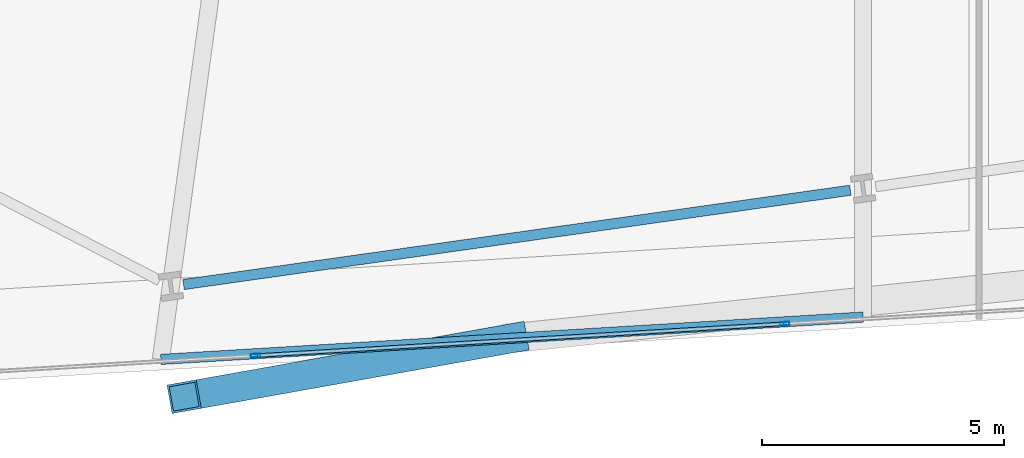
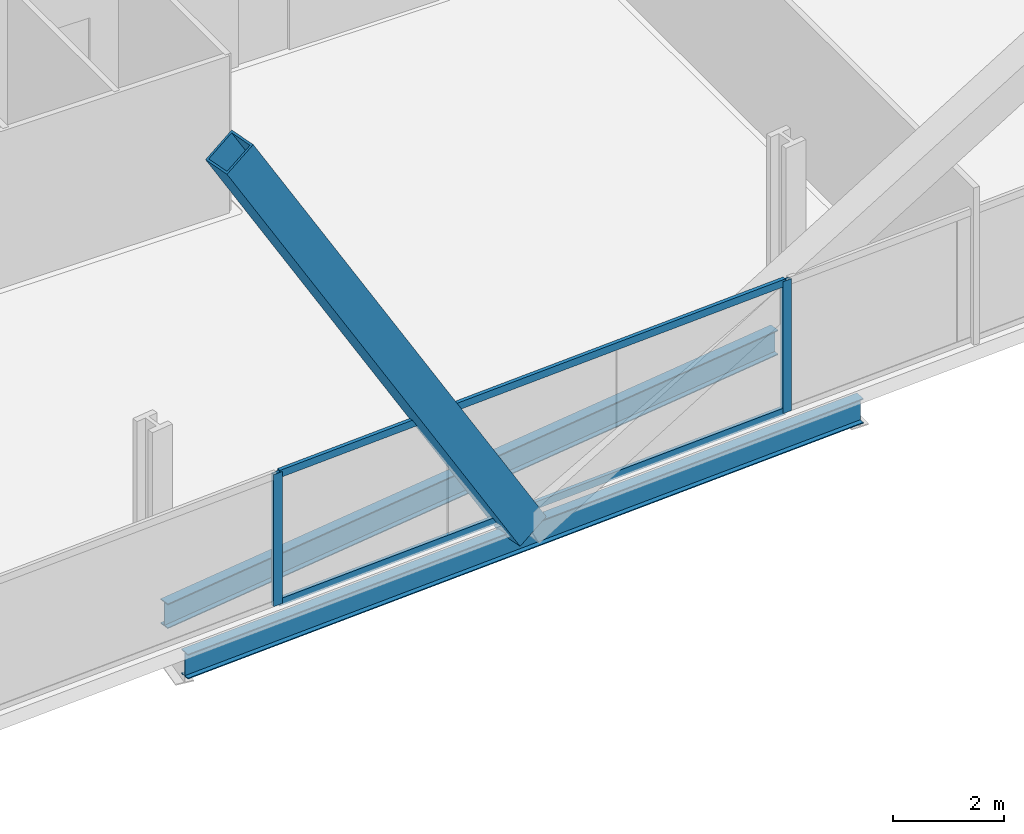
# One storey, part 5 of 34: 5 members, 2 beams, 1 element without a shape of its own.
"""IFC4 building model written with IfcOpenShell, lengths in metres."""

from ifc_helpers import new_model, si_unit, direction, frame, origin, origin_2d, place, context, subcontext, project, spatial, hollow_rectangle, i_section, extrude, material, material_profile, profile_set, type_object, element, aggregate, save


model = new_model("IFC4")

# Units and contexts
model_context = context("Model", 3, precision=1e-05, world=origin(), true_north=direction((0.0, 1.0)))
body_context = subcontext(model_context, "Body", "Model", "MODEL_VIEW")
ifc_project = project(units=[si_unit("LENGTHUNIT", "METRE"), si_unit("AREAUNIT", "SQUARE_METRE"), si_unit("VOLUMEUNIT", "CUBIC_METRE"), si_unit("PLANEANGLEUNIT", "RADIAN"), si_unit("MASSUNIT", "GRAM", prefix="KILO")], contexts=[model_context])

# Site, building, storey
site_placement = place(None, origin())
site = spatial("IfcSite", under=ifc_project, at=site_placement, CompositionType="ELEMENT")
building_placement = place(site_placement, origin())
building = spatial("IfcBuilding", under=site, at=building_placement, Name="Haldenkirk Collegiate Tower", CompositionType="ELEMENT")
storey_placement = place(building_placement, frame((0.0, 0.0, 40.199951171875)))
storey = spatial("IfcBuildingStorey", under=building, at=storey_placement, Name="L08", CompositionType="ELEMENT", Elevation=40.199951171875)

# Beams
ifc_material_1 = material(Name="Steel ASTM A992 Grade 50", Category="steel")
ifc_material_profile_1 = material_profile(ifc_material_1, i_section(OverallWidth=0.2119140625, OverallDepth=0.5439453125, WebThickness=0.01318359375, FlangeThickness=0.021240234375, at=origin_2d()), Name="W21X83")
ifc_profile_set_1 = profile_set([ifc_material_profile_1], Name="Steel ASTM A992 Grade 50")
beam_type = type_object("IfcBeamType", Name="BM-SPANDREL-W21X83", PredefinedType="SPANDREL", material=ifc_profile_set_1)
beam_1_placement = place(storey_placement, frame((25.076904296875, 2.0341796875, -0.58203125), z_axis=(0.990146197746, 0.14003752029, 0.0), x_axis=(-0.14003752029, 0.990146197746, 0.0)))
element("IfcBeam", 1, at=beam_1_placement, inside=storey, type_object=beam_type, Name="L08 perimeter spandrel beam 02", PredefinedType="SPANDREL", context=body_context, shape_type="SweptSolid", body=[
    extrude(i_section(OverallWidth=0.2119140625, OverallDepth=0.5439453125, WebThickness=0.01318359375, FlangeThickness=0.021240234375, at=origin_2d()), origin(), (0.0, 0.0, 1.0), 13.906982421875),
])
beam_2_placement = place(storey_placement, frame((24.609130859375, 0.48828125, -0.58203125), z_axis=(0.998187177961, 0.060186026238, 0.0), x_axis=(-0.060186026238, 0.998187177961, 0.0)))
element("IfcBeam", 2, at=beam_2_placement, inside=storey, type_object=beam_type, Name="L08 outer facade edge beam 1", PredefinedType="SPANDREL", context=body_context, shape_type="SweptSolid", body=[
    extrude(i_section(OverallWidth=0.2119140625, OverallDepth=0.5439453125, WebThickness=0.01318359375, FlangeThickness=0.021240234375, at=origin_2d()), origin(), (0.0, 0.0, 1.0), 14.526123046875),
])

# Curtain wall, members
ifc_material_2 = material(Name="Anodised architectural bronze aluminium", Category="aluminium")
curtain_wall_type = type_object("IfcCurtainWallType", Name="CW-SYS2-CONCAVE", PredefinedType="USERDEFINED", material=ifc_material_2)
curtain_wall_placement = place(storey_placement, origin())
curtain_wall = element("IfcCurtainWall", 3, at=curtain_wall_placement, inside=storey, type_object=curtain_wall_type, Name="L08 South concave recessed bronze-anodised curtain wall", ObjectType="UNITISED CURTAIN WALL", PredefinedType="USERDEFINED")
ifc_material_profile_2 = material_profile(ifc_material_2, hollow_rectangle(XDim=0.074951171875, YDim=0.18994140625, WallThickness=0.0048828125, at=origin_2d()), Name="CW-MUL-02")
ifc_profile_set_2 = profile_set([ifc_material_profile_2], Name="Anodised architectural bronze aluminium")
member_type_1 = type_object("IfcMemberType", Name="CW-MUL-02", PredefinedType="MULLION", material=ifc_profile_set_2)
member_1_placement = place(storey_placement, frame((37.49365234375, 1.22509765625, 0.0), z_axis=(0.0, 0.0, 1.0), x_axis=(0.060175971067, -0.99818778419, 0.0)))
member_1 = element("IfcMember", 4, at=member_1_placement, type_object=member_type_1, Name="CW-02 mullion 3", PredefinedType="MULLION", context=body_context, shape_type="SweptSolid", body=[
    extrude(hollow_rectangle(XDim=0.074951171875, YDim=0.18994140625, WallThickness=0.0048828125, at=origin_2d()), origin(), (0.0, 0.0, 1.0), 2.89111328125),
])
member_2_placement = place(storey_placement, frame((26.5634765625, 0.566162109375, 0.0), z_axis=(0.0, 0.0, 1.0), x_axis=(0.060175971067, -0.99818778419, 0.0)))
member_2 = element("IfcMember", 5, at=member_2_placement, type_object=member_type_1, Name="CW-02 mullion 4", PredefinedType="MULLION", context=body_context, shape_type="SweptSolid", body=[
    extrude(hollow_rectangle(XDim=0.074951171875, YDim=0.18994140625, WallThickness=0.0048828125, at=origin_2d()), origin(), (0.0, 0.0, 1.0), 2.89111328125),
])
ifc_material_profile_3 = material_profile(ifc_material_2, hollow_rectangle(XDim=0.074951171875, YDim=0.159912109375, WallThickness=0.0048828125, at=origin_2d()), Name="CW-TRN-02")
ifc_profile_set_3 = profile_set([ifc_material_profile_3], Name="Anodised architectural bronze aluminium")
member_type_2 = type_object("IfcMemberType", Name="CW-TRN-02", PredefinedType="USERDEFINED", material=ifc_profile_set_3)
member_3_placement = place(storey_placement, frame((37.456298828125, 1.222900390625, 0.03759765625), z_axis=(-0.998187058327, -0.060188010332, 0.0), x_axis=(0.060188010332, -0.998187058327, 0.0)))
member_3 = element("IfcMember", 6, at=member_3_placement, type_object=member_type_2, Name="CW-02 transom 3.1", ObjectType="TRANSOM", PredefinedType="USERDEFINED", context=body_context, shape_type="SweptSolid", body=[
    extrude(hollow_rectangle(XDim=0.074951171875, YDim=0.159912109375, WallThickness=0.0048828125, at=origin_2d()), origin(), (0.0, 0.0, 1.0), 10.875),
])
member_4_placement = place(storey_placement, frame((37.456298828125, 1.222900390625, 2.853515625), z_axis=(-0.998187058327, -0.060188010332, 0.0), x_axis=(0.060188010332, -0.998187058327, 0.0)))
member_4 = element("IfcMember", 7, at=member_4_placement, type_object=member_type_2, Name="CW-02 transom 3.2", ObjectType="TRANSOM", PredefinedType="USERDEFINED", context=body_context, shape_type="SweptSolid", body=[
    extrude(hollow_rectangle(XDim=0.074951171875, YDim=0.159912109375, WallThickness=0.0048828125, at=origin_2d()), origin(), (0.0, 0.0, 1.0), 10.875),
])
aggregate(curtain_wall, [member_1, member_2, member_3, member_4])

# Member
ifc_material_3 = material(Name="Steel ASTM A572 Grade 50", Category="steel")
ifc_material_profile_4 = material_profile(ifc_material_3, hollow_rectangle(XDim=0.60009765625, YDim=0.719970703125, WallThickness=0.044921875, at=origin_2d()), Name="BOX720X600X45")
ifc_profile_set_4 = profile_set([ifc_material_profile_4], Name="Steel ASTM A572 Grade 50")
member_type_3 = type_object("IfcMemberType", Name="MBR-MEGABRACE-BOX720X600X45", PredefinedType="BRACE", material=ifc_profile_set_4)
member_5_placement = place(storey_placement, frame((31.85888671875, 0.92529296875, -0.320068359375), z_axis=(-0.513399466125, -0.091491984496, 0.853258580359), x_axis=(0.175444064391, -0.984489400791, 0.0)))
element("IfcMember", 8, at=member_5_placement, inside=storey, type_object=member_type_3, Name="Perimeter Mega Brace Z1 L08-L10 SL", PredefinedType="BRACE", context=body_context, shape_type="SweptSolid", body=[
    extrude(hollow_rectangle(XDim=0.60009765625, YDim=0.719970703125, WallThickness=0.044921875, at=origin_2d()), origin(), (0.0, 0.0, 1.0), 13.184814453125),
])

save(model, "model.ifc")
